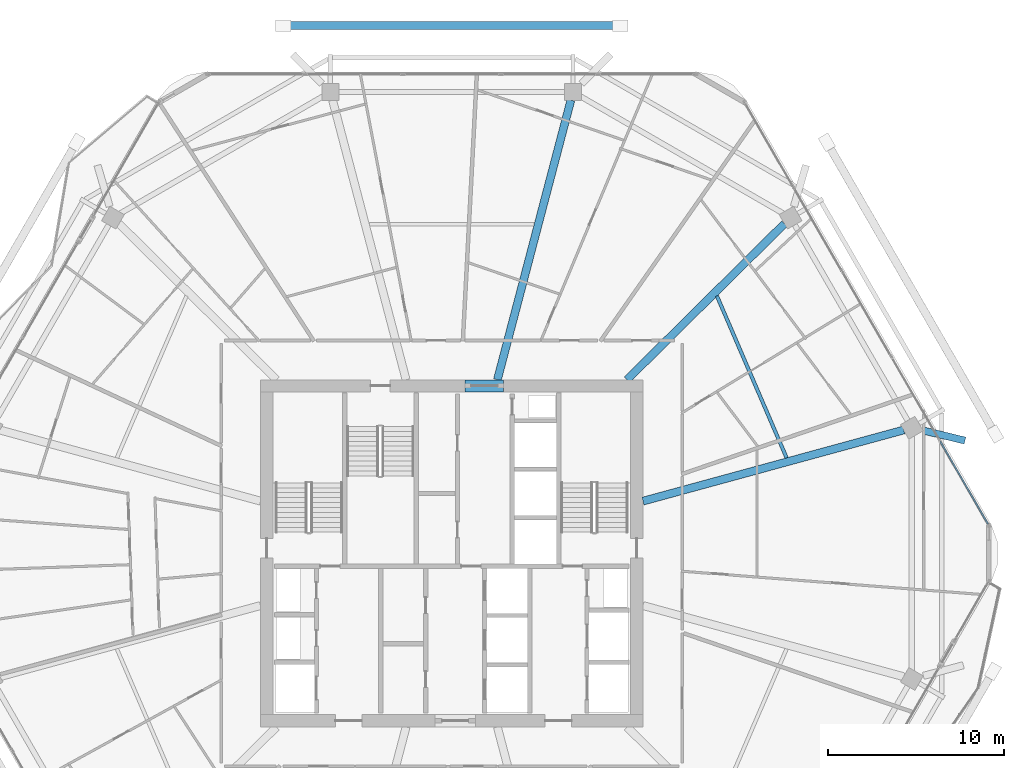
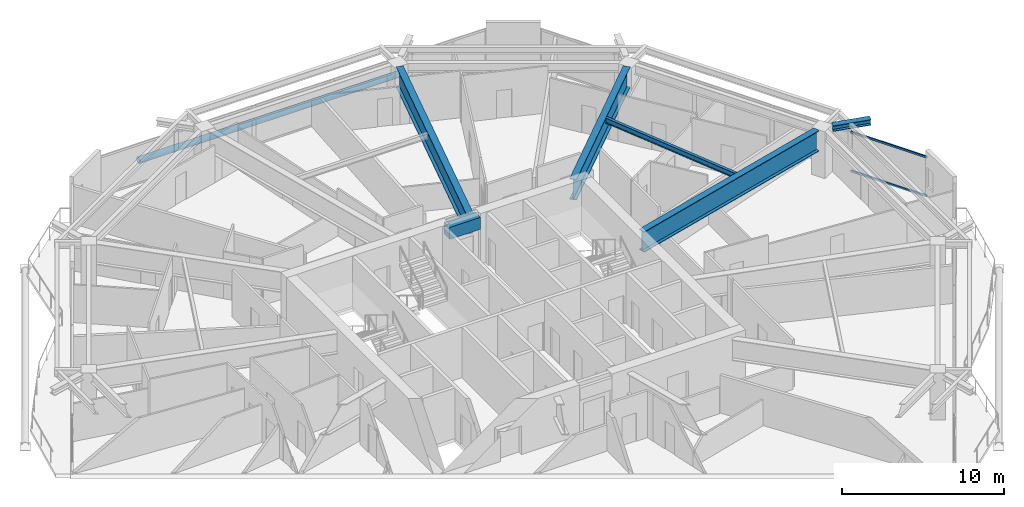
# One storey, part 16 of 28: 6 beams, 3 members, 1 element without a shape of its own.
"""IFC4 building model written with IfcOpenShell, lengths in metres."""

from ifc_helpers import new_model, si_unit, direction, frame, origin, origin_2d, place, context, subcontext, project, spatial, rectangle, hollow_rectangle, hollow_circle, i_section, extrude, material, material_profile, profile_set, type_object, element, aggregate, save


model = new_model("IFC4")

# Units and contexts
model_context = context("Model", 3, precision=1e-05, world=origin(), true_north=direction((0.0, 1.0)))
body_context = subcontext(model_context, "Body", "Model", "MODEL_VIEW")
ifc_project = project(units=[si_unit("LENGTHUNIT", "METRE"), si_unit("AREAUNIT", "SQUARE_METRE"), si_unit("VOLUMEUNIT", "CUBIC_METRE"), si_unit("PLANEANGLEUNIT", "RADIAN"), si_unit("MASSUNIT", "GRAM", prefix="KILO")], contexts=[model_context])

# Site, building, storey
site_placement = place(None, origin())
site = spatial("IfcSite", under=ifc_project, at=site_placement, CompositionType="ELEMENT")
building_placement = place(site_placement, origin())
building = spatial("IfcBuilding", under=site, at=building_placement, Name="Zuhravey Tower", CompositionType="ELEMENT")
storey_placement = place(building_placement, frame((0.0, 0.0, 222.60009765625)))
storey = spatial("IfcBuildingStorey", under=building, at=storey_placement, Name="L56", CompositionType="ELEMENT", Elevation=222.60009765625)

# Beam
ifc_material_1 = material(Name="Concrete C60/75", Category="concrete")
ifc_material_profile_1 = material_profile(ifc_material_1, rectangle(XDim=0.699951171875, YDim=0.89990234375, at=origin_2d()), Name="RC-700x900")
ifc_profile_set_1 = profile_set([ifc_material_profile_1], Name="Concrete C60/75")
beam_type_1 = type_object("IfcBeamType", Name="Core Coupling Beam RC700x900", PredefinedType="LINTEL", material=ifc_profile_set_1)
beam_1_placement = place(storey_placement, frame((36.751953125, 41.5, 3.06982421875), z_axis=(1.0, 0.0, 0.0), x_axis=(0.0, 1.0, 0.0)))
element("IfcBeam", 1, at=beam_1_placement, inside=storey, type_object=beam_type_1, Name="L56 CB1 BM-L56-CB-N", PredefinedType="LINTEL", context=body_context, shape_type="SweptSolid", body=[
    extrude(rectangle(XDim=0.699951171875, YDim=0.89990234375, at=origin_2d()), origin(), (0.0, 0.0, 1.0), 2.196044921875),
])

# Curtain wall, members
ifc_material_2 = material(Name="Thermally broken anodised aluminium", Category="aluminium")
curtain_wall_type = type_object("IfcCurtainWallType", Name="Zone 1-2 Residential Curtain Wall CW3", PredefinedType="NOTDEFINED", material=ifc_material_2)
curtain_wall_placement = place(storey_placement, origin())
curtain_wall = element("IfcCurtainWall", 2, at=curtain_wall_placement, inside=storey, type_object=curtain_wall_type, Name="L56 CW3 CW-L56-F1-1", PredefinedType="NOTDEFINED")
ifc_material_3 = material(Name="Anodised aluminium", Category="aluminium")
ifc_material_profile_2 = material_profile(ifc_material_3, hollow_rectangle(XDim=0.090087890625, YDim=0.14990234375, WallThickness=0.0048828125, at=origin_2d()), Name="ALU-RHS-90x150x5")
ifc_profile_set_2 = profile_set([ifc_material_profile_2], Name="Anodised aluminium")
member_type_1 = type_object("IfcMemberType", Name="Curtain-Wall Transom 90x150", PredefinedType="USERDEFINED", material=ifc_profile_set_2)
member_1_placement = place(storey_placement, frame((63.72216796875, 38.35009765625, 0.044921875), z_axis=(0.499993332629, -0.866029253159, 0.0), x_axis=(0.866029253159, 0.499993332629, 0.0)))
member_1 = element("IfcMember", 3, at=member_1_placement, type_object=member_type_1, Name="CW3 transom 5.1", ObjectType="TRANSOM", PredefinedType="USERDEFINED", context=body_context, shape_type="SweptSolid", body=[
    extrude(hollow_rectangle(XDim=0.090087890625, YDim=0.14990234375, WallThickness=0.0048828125, at=origin_2d()), origin(), (0.0, 0.0, 1.0), 5.4091796875),
])
member_2_placement = place(storey_placement, frame((63.72216796875, 38.35009765625, 2.974853515625), z_axis=(0.499993332629, -0.866029253159, 0.0), x_axis=(0.866029253159, 0.499993332629, 0.0)))
member_2 = element("IfcMember", 4, at=member_2_placement, type_object=member_type_1, Name="CW3 transom 5.2", ObjectType="TRANSOM", PredefinedType="USERDEFINED", context=body_context, shape_type="SweptSolid", body=[
    extrude(hollow_rectangle(XDim=0.090087890625, YDim=0.14990234375, WallThickness=0.0048828125, at=origin_2d()), origin(), (0.0, 0.0, 1.0), 5.4091796875),
])
aggregate(curtain_wall, [member_1, member_2])

# Beam
ifc_material_4 = material(Name="Steel SM460", Category="steel")
ifc_material_profile_3 = material_profile(ifc_material_4, i_section(OverallWidth=0.406982421875, OverallDepth=0.427978515625, WebThickness=0.02001953125, FlangeThickness=0.034912109375, at=origin_2d()), Name="H-428x407x20x35")
ifc_profile_set_3 = profile_set([ifc_material_profile_3], Name="Steel SM460")
beam_type_2 = type_object("IfcBeamType", Name="Exoskeleton Node Tie Beam H428x407", PredefinedType="BEAM", material=ifc_profile_set_3)
beam_2_placement = place(storey_placement, frame((62.7490234375, 38.971435546875, 3.305908203125), z_axis=(0.972014463962, -0.234921011937, 0.0), x_axis=(0.234921011937, 0.972014463962, 0.0)))
element("IfcBeam", 5, at=beam_2_placement, inside=storey, type_object=beam_type_2, Name="L56 Exoskeleton Node Tie NT1-01", PredefinedType="BEAM", context=body_context, shape_type="SweptSolid", body=[
    extrude(i_section(OverallWidth=0.406982421875, OverallDepth=0.427978515625, WebThickness=0.02001953125, FlangeThickness=0.034912109375, at=origin_2d()), origin(), (0.0, 0.0, 1.0), 2.439208984375),
])

# Member
ifc_material_5 = material(Name="Steel SM355", Category="steel")
ifc_material_profile_4 = material_profile(ifc_material_5, hollow_circle(Radius=0.228515625, WallThickness=0.02197265625, at=origin_2d()), Name="CHS-457.2x22")
ifc_profile_set_4 = profile_set([ifc_material_profile_4], Name="Steel SM355")
member_type_2 = type_object("IfcMemberType", Name="Exoskeleton Ring Tie CHS457x22", PredefinedType="CHORD", material=ifc_profile_set_4)
member_3_placement = place(storey_placement, frame((45.4150390625, 61.943115234375, -0.464111328125), z_axis=(-1.0, 0.0, 0.0), x_axis=(0.0, -1.0, 0.0)))
element("IfcMember", 6, at=member_3_placement, inside=storey, type_object=member_type_2, Name="L56 Exoskeleton Face 2 Tie EXR1", PredefinedType="CHORD", context=body_context, shape_type="SweptSolid", body=[
    extrude(hollow_circle(Radius=0.228515625, WallThickness=0.02197265625, at=origin_2d()), origin(), (0.0, 0.0, 1.0), 18.830078125),
])

# Beams
ifc_material_profile_5 = material_profile(ifc_material_4, i_section(OverallWidth=0.449951171875, OverallDepth=1.550048828125, WebThickness=0.02587890625, FlangeThickness=0.0419921875, at=origin_2d()), Name="H-1550x450x26x42")
ifc_profile_set_5 = profile_set([ifc_material_profile_5], Name="Steel SM460")
beam_type_3 = type_object("IfcBeamType", Name="Heavy Setback Transfer Girder H1550x450", PredefinedType="BEAM", material=ifc_profile_set_5)
beam_3_placement = place(storey_placement, frame((46.85302734375, 34.96240234375, 2.744873046875), z_axis=(0.964701703464, 0.263345065139, 0.0), x_axis=(-0.263345065139, 0.964701703464, 0.0)))
element("IfcBeam", 7, at=beam_3_placement, inside=storey, type_object=beam_type_3, Name="L56 TG3 BM-L56-RAD-01", PredefinedType="BEAM", context=body_context, shape_type="SweptSolid", body=[
    extrude(i_section(OverallWidth=0.449951171875, OverallDepth=1.550048828125, WebThickness=0.02587890625, FlangeThickness=0.0419921875, at=origin_2d()), origin(), (0.0, 0.0, 1.0), 15.334716796875),
])
beam_4_placement = place(storey_placement, frame((45.945556640625, 41.85302734375, 2.744873046875), z_axis=(0.710406645816, 0.703791444663, 0.0), x_axis=(-0.703791444663, 0.710406645816, 0.0)))
element("IfcBeam", 8, at=beam_4_placement, inside=storey, type_object=beam_type_3, Name="L56 TG3 BM-L56-RAD-02", PredefinedType="BEAM", context=body_context, shape_type="SweptSolid", body=[
    extrude(i_section(OverallWidth=0.449951171875, OverallDepth=1.550048828125, WebThickness=0.02587890625, FlangeThickness=0.0419921875, at=origin_2d()), origin(), (0.0, 0.0, 1.0), 12.5849609375),
])
beam_5_placement = place(storey_placement, frame((38.5908203125, 41.85302734375, 2.744873046875), z_axis=(0.254299806285, 0.967125435775, 0.0), x_axis=(-0.967125435775, 0.254299806285, 0.0)))
element("IfcBeam", 9, at=beam_5_placement, inside=storey, type_object=beam_type_3, Name="L56 TG3 BM-L56-RAD-03", PredefinedType="BEAM", context=body_context, shape_type="SweptSolid", body=[
    extrude(i_section(OverallWidth=0.449951171875, OverallDepth=1.550048828125, WebThickness=0.02587890625, FlangeThickness=0.0419921875, at=origin_2d()), origin(), (0.0, 0.0, 1.0), 16.396728515625),
])
ifc_material_profile_6 = material_profile(ifc_material_5, i_section(OverallWidth=0.199951171875, OverallDepth=0.39990234375, WebThickness=0.008056640625, FlangeThickness=0.012939453125, at=origin_2d()), Name="H-400x200x8x13")
ifc_profile_set_6 = profile_set([ifc_material_profile_6], Name="Steel SM355")
beam_type_4 = type_object("IfcBeamType", Name="Secondary Floor Joist H400x200", PredefinedType="JOIST", material=ifc_profile_set_6)
beam_6_placement = place(storey_placement, frame((55.0, 37.42138671875, 3.31982421875), z_axis=(-0.395280133631, 0.918560621819, 0.0), x_axis=(-0.918560621819, -0.395280133631, 0.0)))
element("IfcBeam", 10, at=beam_6_placement, inside=storey, type_object=beam_type_4, Name="L56 SJ2 BM-L56-SJ-01-1", PredefinedType="JOIST", context=body_context, shape_type="SweptSolid", body=[
    extrude(i_section(OverallWidth=0.199951171875, OverallDepth=0.39990234375, WebThickness=0.008056640625, FlangeThickness=0.012939453125, at=origin_2d()), origin(), (0.0, 0.0, 1.0), 10.000244140625),
])

save(model, "model.ifc")
